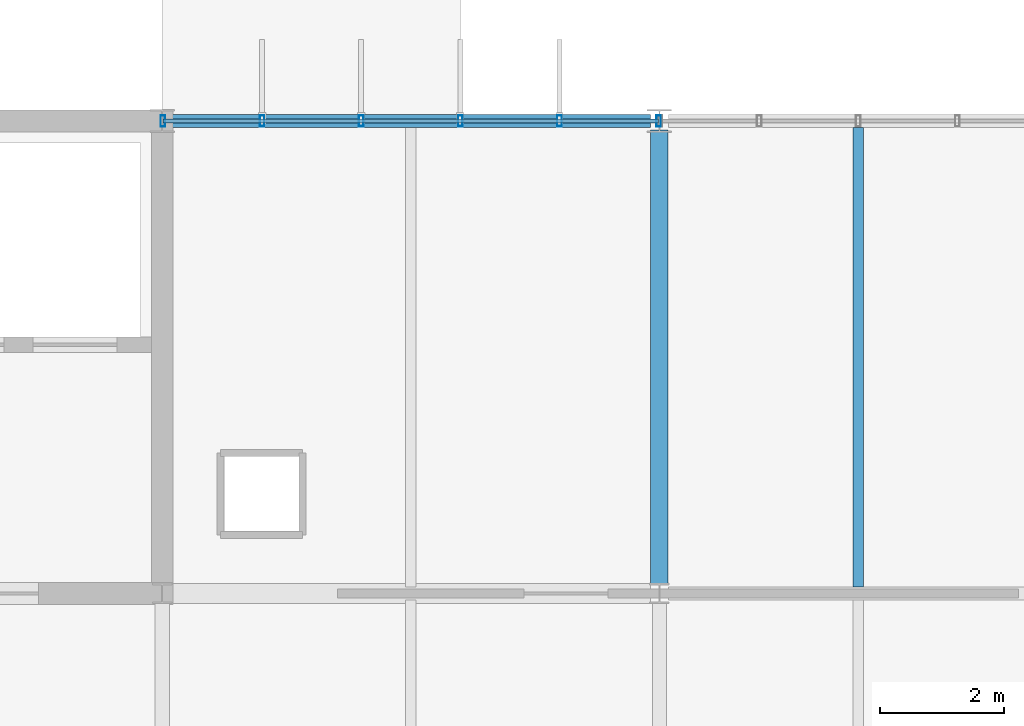
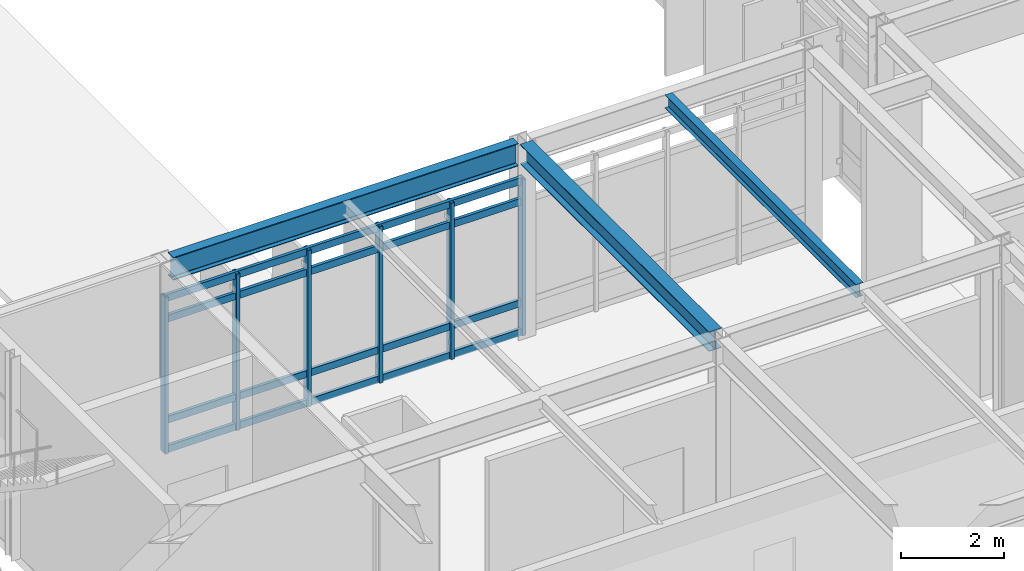
# One storey, part 30 of 100: 10 members, 3 beams, 1 element without a shape of its own.
"""IFC4 building model written with IfcOpenShell, lengths in metres."""

from ifc_helpers import new_model, si_unit, direction, frame, origin, origin_2d, place, context, subcontext, project, spatial, hollow_rectangle, i_section, extrude, material, material_profile, profile_set, type_object, element, aggregate, save


model = new_model("IFC4")

# Units and contexts
model_context = context("Model", 3, precision=1e-05, world=origin(), true_north=direction((0.0, 1.0)))
body_context = subcontext(model_context, "Body", "Model", "MODEL_VIEW")
ifc_project = project(units=[si_unit("LENGTHUNIT", "METRE"), si_unit("AREAUNIT", "SQUARE_METRE"), si_unit("VOLUMEUNIT", "CUBIC_METRE"), si_unit("PLANEANGLEUNIT", "RADIAN"), si_unit("MASSUNIT", "GRAM", prefix="KILO")], contexts=[model_context])

# Site, building, storey
site_placement = place(None, origin())
site = spatial("IfcSite", under=ifc_project, at=site_placement, CompositionType="ELEMENT")
building_placement = place(site_placement, origin())
building = spatial("IfcBuilding", under=site, at=building_placement, Name="Zulena Civic Courthouse", CompositionType="ELEMENT")
storey_placement = place(building_placement, frame((0.0, 0.0, 20.39990234375)))
storey = spatial("IfcBuildingStorey", under=building, at=storey_placement, Name="L04", CompositionType="ELEMENT", Elevation=20.39990234375)

# Curtain wall, members
ifc_material_1 = material(Name="Double-silver low-E laminated solar-control glass", Category="glass")
curtain_wall_type = type_object("IfcCurtainWallType", Name="CW_7976x3690", PredefinedType="USERDEFINED", material=ifc_material_1)
curtain_wall_placement = place(storey_placement, origin())
curtain_wall = element("IfcCurtainWall", 1, at=curtain_wall_placement, inside=storey, type_object=curtain_wall_type, Name="cw:V2:L04:1:6", ObjectType="UNITISED CURTAIN WALL", PredefinedType="USERDEFINED")
ifc_material_2 = material(Name="Bronze anodised thermally broken aluminium AA6063-T6", Category="aluminium")
ifc_material_profile_1 = material_profile(ifc_material_2, hollow_rectangle(XDim=0.074951171875, YDim=0.179931640625, WallThickness=0.0048828125, at=origin_2d()), Name="CWM180X75X5")
ifc_profile_set_1 = profile_set([ifc_material_profile_1], Name="Bronze anodised thermally broken aluminium AA6063-T6")
member_type_1 = type_object("IfcMemberType", Name="CWMullion_180x75", PredefinedType="MULLION", material=ifc_profile_set_1)
member_1_placement = place(storey_placement, frame((52.011962890625, 22.800048828125, 0.0), z_axis=(0.0, 0.0, 1.0), x_axis=(1.0, 0.0, 0.0)))
member_1 = element("IfcMember", 2, at=member_1_placement, type_object=member_type_1, Name="cw:V2:L04:1:6:mull:0", PredefinedType="MULLION", context=body_context, shape_type="SweptSolid", body=[
    extrude(hollow_rectangle(XDim=0.074951171875, YDim=0.179931640625, WallThickness=0.0048828125, at=origin_2d()), origin(), (0.0, 0.0, 1.0), 3.690185546875),
])
member_2_placement = place(storey_placement, frame((53.607177734375, 22.800048828125, 0.0), z_axis=(0.0, 0.0, 1.0), x_axis=(1.0, 0.0, 0.0)))
member_2 = element("IfcMember", 3, at=member_2_placement, type_object=member_type_1, Name="cw:V2:L04:1:6:mull:1", PredefinedType="MULLION", context=body_context, shape_type="SweptSolid", body=[
    extrude(hollow_rectangle(XDim=0.074951171875, YDim=0.179931640625, WallThickness=0.0048828125, at=origin_2d()), origin(), (0.0, 0.0, 1.0), 3.690185546875),
])
member_3_placement = place(storey_placement, frame((55.202392578125, 22.800048828125, 0.0), z_axis=(0.0, 0.0, 1.0), x_axis=(1.0, 0.0, 0.0)))
member_3 = element("IfcMember", 4, at=member_3_placement, type_object=member_type_1, Name="cw:V2:L04:1:6:mull:2", PredefinedType="MULLION", context=body_context, shape_type="SweptSolid", body=[
    extrude(hollow_rectangle(XDim=0.074951171875, YDim=0.179931640625, WallThickness=0.0048828125, at=origin_2d()), origin(), (0.0, 0.0, 1.0), 3.690185546875),
])
member_4_placement = place(storey_placement, frame((56.797607421875, 22.800048828125, 0.0), z_axis=(0.0, 0.0, 1.0), x_axis=(1.0, 0.0, 0.0)))
member_4 = element("IfcMember", 5, at=member_4_placement, type_object=member_type_1, Name="cw:V2:L04:1:6:mull:3", PredefinedType="MULLION", context=body_context, shape_type="SweptSolid", body=[
    extrude(hollow_rectangle(XDim=0.074951171875, YDim=0.179931640625, WallThickness=0.0048828125, at=origin_2d()), origin(), (0.0, 0.0, 1.0), 3.690185546875),
])
member_5_placement = place(storey_placement, frame((58.392822265625, 22.800048828125, 0.0), z_axis=(0.0, 0.0, 1.0), x_axis=(1.0, 0.0, 0.0)))
member_5 = element("IfcMember", 6, at=member_5_placement, type_object=member_type_1, Name="cw:V2:L04:1:6:mull:4", PredefinedType="MULLION", context=body_context, shape_type="SweptSolid", body=[
    extrude(hollow_rectangle(XDim=0.074951171875, YDim=0.179931640625, WallThickness=0.0048828125, at=origin_2d()), origin(), (0.0, 0.0, 1.0), 3.690185546875),
])
member_6_placement = place(storey_placement, frame((59.988037109375, 22.800048828125, 0.0), z_axis=(0.0, 0.0, 1.0), x_axis=(1.0, 0.0, 0.0)))
member_6 = element("IfcMember", 7, at=member_6_placement, type_object=member_type_1, Name="cw:V2:L04:1:6:mull:5", PredefinedType="MULLION", context=body_context, shape_type="SweptSolid", body=[
    extrude(hollow_rectangle(XDim=0.074951171875, YDim=0.179931640625, WallThickness=0.0048828125, at=origin_2d()), origin(), (0.0, 0.0, 1.0), 3.690185546875),
])
ifc_material_profile_2 = material_profile(ifc_material_2, hollow_rectangle(XDim=0.070068359375, YDim=0.1650390625, WallThickness=0.00390625, at=origin_2d()), Name="CWT165X70X4")
ifc_profile_set_2 = profile_set([ifc_material_profile_2], Name="Bronze anodised thermally broken aluminium AA6063-T6")
member_type_2 = type_object("IfcMemberType", Name="CWTransom_165x70", PredefinedType="USERDEFINED", material=ifc_profile_set_2)
member_7_placement = place(storey_placement, frame((52.011962890625, 22.800048828125, 0.06005859375), z_axis=(1.0, 0.0, 0.0), x_axis=(0.0, 1.0, 0.0)))
member_7 = element("IfcMember", 8, at=member_7_placement, type_object=member_type_2, Name="cw:V2:L04:1:6:tran:0", ObjectType="TRANSOM", PredefinedType="USERDEFINED", context=body_context, shape_type="SweptSolid", body=[
    extrude(hollow_rectangle(XDim=0.070068359375, YDim=0.1650390625, WallThickness=0.00390625, at=origin_2d()), origin(), (0.0, 0.0, 1.0), 7.97607421875),
])
member_8_placement = place(storey_placement, frame((52.011962890625, 22.800048828125, 0.75), z_axis=(1.0, 0.0, 0.0), x_axis=(0.0, 1.0, 0.0)))
member_8 = element("IfcMember", 9, at=member_8_placement, type_object=member_type_2, Name="cw:V2:L04:1:6:tran:1", ObjectType="TRANSOM", PredefinedType="USERDEFINED", context=body_context, shape_type="SweptSolid", body=[
    extrude(hollow_rectangle(XDim=0.070068359375, YDim=0.1650390625, WallThickness=0.00390625, at=origin_2d()), origin(), (0.0, 0.0, 1.0), 7.97607421875),
])
member_9_placement = place(storey_placement, frame((52.011962890625, 22.800048828125, 3.14013671875), z_axis=(1.0, 0.0, 0.0), x_axis=(0.0, 1.0, 0.0)))
member_9 = element("IfcMember", 10, at=member_9_placement, type_object=member_type_2, Name="cw:V2:L04:1:6:tran:2", ObjectType="TRANSOM", PredefinedType="USERDEFINED", context=body_context, shape_type="SweptSolid", body=[
    extrude(hollow_rectangle(XDim=0.070068359375, YDim=0.1650390625, WallThickness=0.00390625, at=origin_2d()), origin(), (0.0, 0.0, 1.0), 7.97607421875),
])
member_10_placement = place(storey_placement, frame((52.011962890625, 22.800048828125, 3.630126953125), z_axis=(1.0, 0.0, 0.0), x_axis=(0.0, 1.0, 0.0)))
member_10 = element("IfcMember", 11, at=member_10_placement, type_object=member_type_2, Name="cw:V2:L04:1:6:tran:3", ObjectType="TRANSOM", PredefinedType="USERDEFINED", context=body_context, shape_type="SweptSolid", body=[
    extrude(hollow_rectangle(XDim=0.070068359375, YDim=0.1650390625, WallThickness=0.00390625, at=origin_2d()), origin(), (0.0, 0.0, 1.0), 7.97607421875),
])
aggregate(curtain_wall, [member_1, member_2, member_3, member_4, member_5, member_6, member_7, member_8, member_9, member_10])

# Beams
ifc_material_3 = material(Name="Steel ASTM A992 Grade 50", Category="steel")
ifc_material_profile_3 = material_profile(ifc_material_3, i_section(OverallWidth=0.1650390625, OverallDepth=0.31005859375, WebThickness=0.005859375, FlangeThickness=0.009765625, FilletRadius=0.009765625, at=origin_2d()), Name="W12X26")
ifc_profile_set_3 = profile_set([ifc_material_profile_3], Name="Steel ASTM A992 Grade 50")
beam_type_1 = type_object("IfcBeamType", Name="Joist_W12X26", PredefinedType="JOIST", material=ifc_profile_set_3)
beam_1_placement = place(storey_placement, frame((63.199951171875, 15.304931640625, 4.440185546875), z_axis=(0.0, 1.0, 0.0), x_axis=(-1.0, 0.0, 0.0)))
element("IfcBeam", 12, at=beam_1_placement, inside=storey, type_object=beam_type_1, Name="joist:V2:L04:63.20:15.2_22.8", PredefinedType="JOIST", context=body_context, shape_type="SweptSolid", body=[
    extrude(i_section(OverallWidth=0.1650390625, OverallDepth=0.31005859375, WebThickness=0.005859375, FlangeThickness=0.009765625, FilletRadius=0.009765625, at=origin_2d()), origin(), (0.0, 0.0, 1.0), 7.39013671875),
])
ifc_material_profile_4 = material_profile(ifc_material_3, i_section(OverallWidth=0.280029296875, OverallDepth=0.462890625, WebThickness=0.0107421875, FlangeThickness=0.017333984375, FilletRadius=0.01025390625, at=origin_2d()), Name="W18X76")
ifc_profile_set_4 = profile_set([ifc_material_profile_4], Name="Steel ASTM A992 Grade 50")
beam_type_2 = type_object("IfcBeamType", Name="Spandrel_W18X76", PredefinedType="SPANDREL", material=ifc_profile_set_4)
beam_2_placement = place(storey_placement, frame((60.0, 15.344970703125, 4.363525390625), z_axis=(0.0, 1.0, 0.0), x_axis=(-1.0, 0.0, 0.0)))
element("IfcBeam", 13, at=beam_2_placement, inside=storey, type_object=beam_type_2, Name="beam:Y:V2:L04:60.0:15.2_22.8", PredefinedType="SPANDREL", context=body_context, shape_type="SweptSolid", body=[
    extrude(i_section(OverallWidth=0.280029296875, OverallDepth=0.462890625, WebThickness=0.0107421875, FlangeThickness=0.017333984375, FilletRadius=0.01025390625, at=origin_2d()), origin(), (0.0, 0.0, 1.0), 7.31005859375),
])
ifc_material_profile_5 = material_profile(ifc_material_3, i_section(OverallWidth=0.2099609375, OverallDepth=0.537109375, WebThickness=0.010986328125, FlangeThickness=0.017333984375, FilletRadius=0.0126953125, at=origin_2d()), Name="W21X68")
ifc_profile_set_5 = profile_set([ifc_material_profile_5], Name="Steel ASTM A992 Grade 50")
beam_type_3 = type_object("IfcBeamType", Name="Spandrel_W21X68", PredefinedType="SPANDREL", material=ifc_profile_set_5)
beam_3_placement = place(storey_placement, frame((52.14501953125, 22.800048828125, 4.32666015625), z_axis=(1.0, 0.0, 0.0), x_axis=(0.0, 1.0, 0.0)))
element("IfcBeam", 14, at=beam_3_placement, inside=storey, type_object=beam_type_3, Name="beam:X:V2:L04:22.8:52.0_60.0", PredefinedType="SPANDREL", context=body_context, shape_type="SweptSolid", body=[
    extrude(i_section(OverallWidth=0.2099609375, OverallDepth=0.537109375, WebThickness=0.010986328125, FlangeThickness=0.017333984375, FilletRadius=0.0126953125, at=origin_2d()), origin(), (0.0, 0.0, 1.0), 7.7099609375),
])

save(model, "model.ifc")
